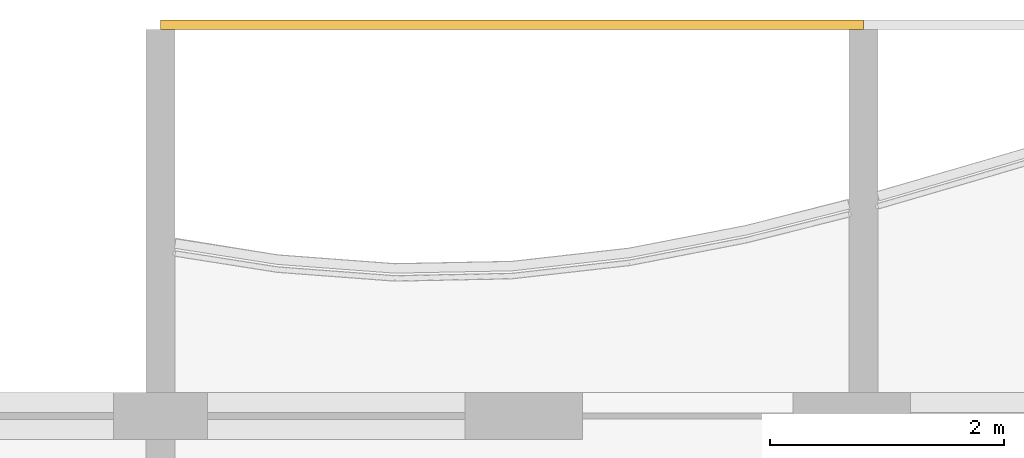
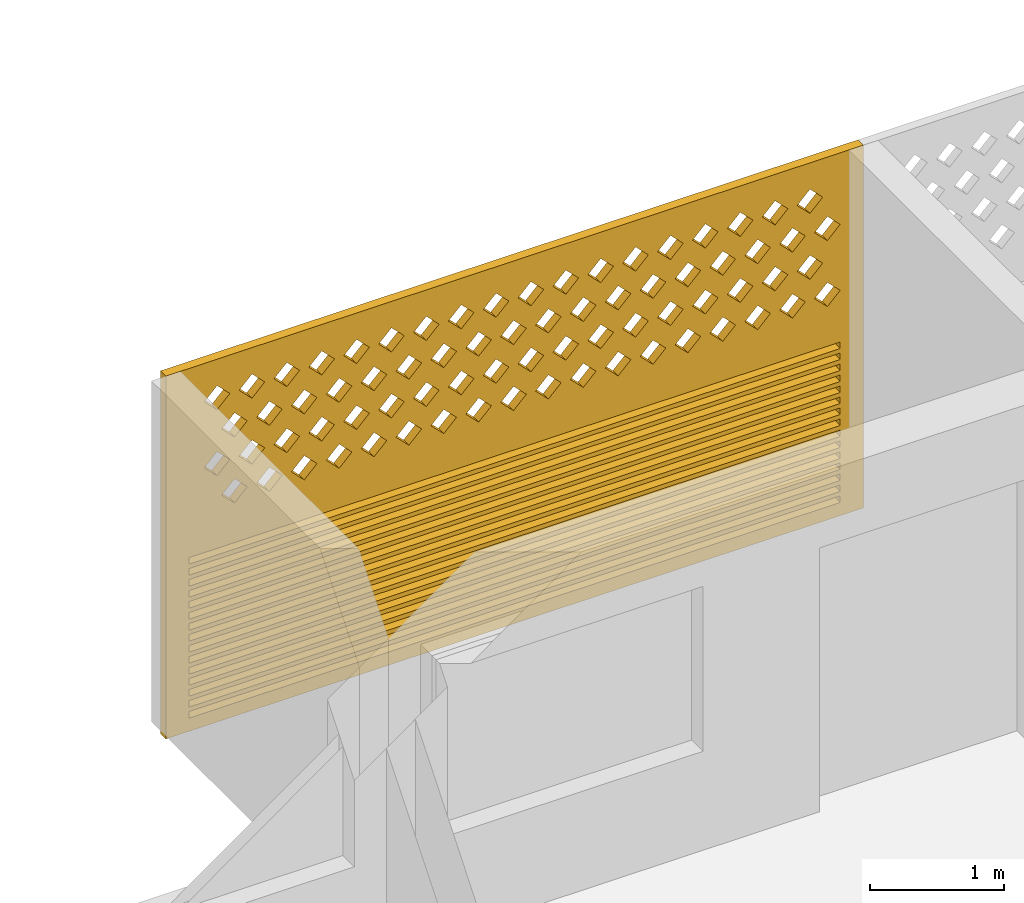
# One storey, part 22 of 26: 1 covering.
"""IFC4 building model written with IfcOpenShell, lengths in metres."""

from ifc_helpers import new_model, si_unit, direction, frame, origin, place, context, subcontext, project, spatial, polyline, outline, extrude, source, transform, mapped, material, material_profile, profile_set, type_object, element, save


model = new_model("IFC4")

# Units and contexts
model_context = context("Model", 3, precision=1e-05, world=origin(), true_north=direction((0.0, 1.0)))
body_context = subcontext(model_context, "Body", "Model", "MODEL_VIEW")
ifc_project = project(units=[si_unit("LENGTHUNIT", "METRE"), si_unit("AREAUNIT", "SQUARE_METRE"), si_unit("VOLUMEUNIT", "CUBIC_METRE"), si_unit("PLANEANGLEUNIT", "RADIAN"), si_unit("MASSUNIT", "GRAM", prefix="KILO")], contexts=[model_context])

# Site, building, storey
site_placement = place(None, origin())
site = spatial("IfcSite", under=ifc_project, at=site_placement, CompositionType="ELEMENT")
building_placement = place(site_placement, origin())
building = spatial("IfcBuilding", under=site, at=building_placement, Name="Poui Terraces", CompositionType="ELEMENT")
storey_placement = place(building_placement, frame((0.0, 0.0, 247.800048828125)))
storey = spatial("IfcBuildingStorey", under=building, at=storey_placement, Name="L69", CompositionType="ELEMENT", Elevation=247.800048828125)

# Covering
ifc_material = material(Name="Terracotta screen", Category="masonry")
ifc_material_profile = material_profile(ifc_material, outline(polyline([(-3.0, -1.64990234375), (3.0, -1.64990234375), (3.0, 1.64990234375), (-3.0, 1.64990234375), (-3.0, -1.64990234375)]), holes=[polyline([(-2.800048828125, 0.39990234375), (-2.68994140625, 0.2900390625), (-2.580078125, 0.39990234375), (-2.68994140625, 0.510009765625), (-2.800048828125, 0.39990234375)]), polyline([(-2.5, 0.39990234375), (-2.389892578125, 0.2900390625), (-2.280029296875, 0.39990234375), (-2.389892578125, 0.510009765625), (-2.5, 0.39990234375)]), polyline([(-2.199951171875, 0.39990234375), (-2.090087890625, 0.2900390625), (-1.97998046875, 0.39990234375), (-2.090087890625, 0.510009765625), (-2.199951171875, 0.39990234375)]), polyline([(-1.89990234375, 0.39990234375), (-1.7900390625, 0.2900390625), (-1.679931640625, 0.39990234375), (-1.7900390625, 0.510009765625), (-1.89990234375, 0.39990234375)]), polyline([(-1.60009765625, 0.39990234375), (-1.489990234375, 0.2900390625), (-1.3798828125, 0.39990234375), (-1.489990234375, 0.510009765625), (-1.60009765625, 0.39990234375)]), polyline([(-1.300048828125, 0.39990234375), (-1.18994140625, 0.2900390625), (-1.080078125, 0.39990234375), (-1.18994140625, 0.510009765625), (-1.300048828125, 0.39990234375)]), polyline([(-1.0, 0.39990234375), (-0.889892578125, 0.2900390625), (-0.780029296875, 0.39990234375), (-0.889892578125, 0.510009765625), (-1.0, 0.39990234375)]), polyline([(-0.699951171875, 0.39990234375), (-0.590087890625, 0.2900390625), (-0.47998046875, 0.39990234375), (-0.590087890625, 0.510009765625), (-0.699951171875, 0.39990234375)]), polyline([(-0.39990234375, 0.39990234375), (-0.2900390625, 0.2900390625), (-0.179931640625, 0.39990234375), (-0.2900390625, 0.510009765625), (-0.39990234375, 0.39990234375)]), polyline([(-0.10009765625, 0.39990234375), (0.010009765625, 0.2900390625), (0.1201171875, 0.39990234375), (0.010009765625, 0.510009765625), (-0.10009765625, 0.39990234375)]), polyline([(0.199951171875, 0.39990234375), (0.31005859375, 0.2900390625), (0.419921875, 0.39990234375), (0.31005859375, 0.510009765625), (0.199951171875, 0.39990234375)]), polyline([(0.5, 0.39990234375), (0.610107421875, 0.2900390625), (0.719970703125, 0.39990234375), (0.610107421875, 0.510009765625), (0.5, 0.39990234375)]), polyline([(0.800048828125, 0.39990234375), (0.909912109375, 0.2900390625), (1.02001953125, 0.39990234375), (0.909912109375, 0.510009765625), (0.800048828125, 0.39990234375)]), polyline([(1.10009765625, 0.39990234375), (1.2099609375, 0.2900390625), (1.320068359375, 0.39990234375), (1.2099609375, 0.510009765625), (1.10009765625, 0.39990234375)]), polyline([(1.39990234375, 0.39990234375), (1.510009765625, 0.2900390625), (1.6201171875, 0.39990234375), (1.510009765625, 0.510009765625), (1.39990234375, 0.39990234375)]), polyline([(1.699951171875, 0.39990234375), (1.81005859375, 0.2900390625), (1.919921875, 0.39990234375), (1.81005859375, 0.510009765625), (1.699951171875, 0.39990234375)]), polyline([(2.0, 0.39990234375), (2.110107421875, 0.2900390625), (2.219970703125, 0.39990234375), (2.110107421875, 0.510009765625), (2.0, 0.39990234375)]), polyline([(2.300048828125, 0.39990234375), (2.409912109375, 0.2900390625), (2.52001953125, 0.39990234375), (2.409912109375, 0.510009765625), (2.300048828125, 0.39990234375)]), polyline([(-2.64990234375, 0.699951171875), (-2.5400390625, 0.590087890625), (-2.429931640625, 0.699951171875), (-2.5400390625, 0.81005859375), (-2.64990234375, 0.699951171875)]), polyline([(-2.35009765625, 0.699951171875), (-2.239990234375, 0.590087890625), (-2.1298828125, 0.699951171875), (-2.239990234375, 0.81005859375), (-2.35009765625, 0.699951171875)]), polyline([(-2.050048828125, 0.699951171875), (-1.93994140625, 0.590087890625), (-1.830078125, 0.699951171875), (-1.93994140625, 0.81005859375), (-2.050048828125, 0.699951171875)]), polyline([(-1.75, 0.699951171875), (-1.639892578125, 0.590087890625), (-1.530029296875, 0.699951171875), (-1.639892578125, 0.81005859375), (-1.75, 0.699951171875)]), polyline([(-1.449951171875, 0.699951171875), (-1.340087890625, 0.590087890625), (-1.22998046875, 0.699951171875), (-1.340087890625, 0.81005859375), (-1.449951171875, 0.699951171875)]), polyline([(-1.14990234375, 0.699951171875), (-1.0400390625, 0.590087890625), (-0.929931640625, 0.699951171875), (-1.0400390625, 0.81005859375), (-1.14990234375, 0.699951171875)]), polyline([(-0.85009765625, 0.699951171875), (-0.739990234375, 0.590087890625), (-0.6298828125, 0.699951171875), (-0.739990234375, 0.81005859375), (-0.85009765625, 0.699951171875)]), polyline([(-0.550048828125, 0.699951171875), (-0.43994140625, 0.590087890625), (-0.330078125, 0.699951171875), (-0.43994140625, 0.81005859375), (-0.550048828125, 0.699951171875)]), polyline([(-0.25, 0.699951171875), (-0.139892578125, 0.590087890625), (-0.030029296875, 0.699951171875), (-0.139892578125, 0.81005859375), (-0.25, 0.699951171875)]), polyline([(0.050048828125, 0.699951171875), (0.159912109375, 0.590087890625), (0.27001953125, 0.699951171875), (0.159912109375, 0.81005859375), (0.050048828125, 0.699951171875)]), polyline([(0.35009765625, 0.699951171875), (0.4599609375, 0.590087890625), (0.570068359375, 0.699951171875), (0.4599609375, 0.81005859375), (0.35009765625, 0.699951171875)]), polyline([(0.64990234375, 0.699951171875), (0.760009765625, 0.590087890625), (0.8701171875, 0.699951171875), (0.760009765625, 0.81005859375), (0.64990234375, 0.699951171875)]), polyline([(0.949951171875, 0.699951171875), (1.06005859375, 0.590087890625), (1.169921875, 0.699951171875), (1.06005859375, 0.81005859375), (0.949951171875, 0.699951171875)]), polyline([(1.25, 0.699951171875), (1.360107421875, 0.590087890625), (1.469970703125, 0.699951171875), (1.360107421875, 0.81005859375), (1.25, 0.699951171875)]), polyline([(1.550048828125, 0.699951171875), (1.659912109375, 0.590087890625), (1.77001953125, 0.699951171875), (1.659912109375, 0.81005859375), (1.550048828125, 0.699951171875)]), polyline([(1.85009765625, 0.699951171875), (1.9599609375, 0.590087890625), (2.070068359375, 0.699951171875), (1.9599609375, 0.81005859375), (1.85009765625, 0.699951171875)]), polyline([(2.14990234375, 0.699951171875), (2.260009765625, 0.590087890625), (2.3701171875, 0.699951171875), (2.260009765625, 0.81005859375), (2.14990234375, 0.699951171875)]), polyline([(2.449951171875, 0.699951171875), (2.56005859375, 0.590087890625), (2.669921875, 0.699951171875), (2.56005859375, 0.81005859375), (2.449951171875, 0.699951171875)]), polyline([(-2.800048828125, 1.0), (-2.68994140625, 0.889892578125), (-2.580078125, 1.0), (-2.68994140625, 1.110107421875), (-2.800048828125, 1.0)]), polyline([(-2.5, 1.0), (-2.389892578125, 0.889892578125), (-2.280029296875, 1.0), (-2.389892578125, 1.110107421875), (-2.5, 1.0)]), polyline([(-2.199951171875, 1.0), (-2.090087890625, 0.889892578125), (-1.97998046875, 1.0), (-2.090087890625, 1.110107421875), (-2.199951171875, 1.0)]), polyline([(-1.89990234375, 1.0), (-1.7900390625, 0.889892578125), (-1.679931640625, 1.0), (-1.7900390625, 1.110107421875), (-1.89990234375, 1.0)]), polyline([(-1.60009765625, 1.0), (-1.489990234375, 0.889892578125), (-1.3798828125, 1.0), (-1.489990234375, 1.110107421875), (-1.60009765625, 1.0)]), polyline([(-1.300048828125, 1.0), (-1.18994140625, 0.889892578125), (-1.080078125, 1.0), (-1.18994140625, 1.110107421875), (-1.300048828125, 1.0)]), polyline([(-1.0, 1.0), (-0.889892578125, 0.889892578125), (-0.780029296875, 1.0), (-0.889892578125, 1.110107421875), (-1.0, 1.0)]), polyline([(-0.699951171875, 1.0), (-0.590087890625, 0.889892578125), (-0.47998046875, 1.0), (-0.590087890625, 1.110107421875), (-0.699951171875, 1.0)]), polyline([(-0.39990234375, 1.0), (-0.2900390625, 0.889892578125), (-0.179931640625, 1.0), (-0.2900390625, 1.110107421875), (-0.39990234375, 1.0)]), polyline([(-0.10009765625, 1.0), (0.010009765625, 0.889892578125), (0.1201171875, 1.0), (0.010009765625, 1.110107421875), (-0.10009765625, 1.0)]), polyline([(0.199951171875, 1.0), (0.31005859375, 0.889892578125), (0.419921875, 1.0), (0.31005859375, 1.110107421875), (0.199951171875, 1.0)]), polyline([(0.5, 1.0), (0.610107421875, 0.889892578125), (0.719970703125, 1.0), (0.610107421875, 1.110107421875), (0.5, 1.0)]), polyline([(0.800048828125, 1.0), (0.909912109375, 0.889892578125), (1.02001953125, 1.0), (0.909912109375, 1.110107421875), (0.800048828125, 1.0)]), polyline([(1.10009765625, 1.0), (1.2099609375, 0.889892578125), (1.320068359375, 1.0), (1.2099609375, 1.110107421875), (1.10009765625, 1.0)]), polyline([(1.39990234375, 1.0), (1.510009765625, 0.889892578125), (1.6201171875, 1.0), (1.510009765625, 1.110107421875), (1.39990234375, 1.0)]), polyline([(1.699951171875, 1.0), (1.81005859375, 0.889892578125), (1.919921875, 1.0), (1.81005859375, 1.110107421875), (1.699951171875, 1.0)]), polyline([(2.0, 1.0), (2.110107421875, 0.889892578125), (2.219970703125, 1.0), (2.110107421875, 1.110107421875), (2.0, 1.0)]), polyline([(2.300048828125, 1.0), (2.409912109375, 0.889892578125), (2.52001953125, 1.0), (2.409912109375, 1.110107421875), (2.300048828125, 1.0)]), polyline([(-2.64990234375, 1.300048828125), (-2.5400390625, 1.18994140625), (-2.429931640625, 1.300048828125), (-2.5400390625, 1.409912109375), (-2.64990234375, 1.300048828125)]), polyline([(-2.35009765625, 1.300048828125), (-2.239990234375, 1.18994140625), (-2.1298828125, 1.300048828125), (-2.239990234375, 1.409912109375), (-2.35009765625, 1.300048828125)]), polyline([(-2.050048828125, 1.300048828125), (-1.93994140625, 1.18994140625), (-1.830078125, 1.300048828125), (-1.93994140625, 1.409912109375), (-2.050048828125, 1.300048828125)]), polyline([(-1.75, 1.300048828125), (-1.639892578125, 1.18994140625), (-1.530029296875, 1.300048828125), (-1.639892578125, 1.409912109375), (-1.75, 1.300048828125)]), polyline([(-1.449951171875, 1.300048828125), (-1.340087890625, 1.18994140625), (-1.22998046875, 1.300048828125), (-1.340087890625, 1.409912109375), (-1.449951171875, 1.300048828125)]), polyline([(-1.14990234375, 1.300048828125), (-1.0400390625, 1.18994140625), (-0.929931640625, 1.300048828125), (-1.0400390625, 1.409912109375), (-1.14990234375, 1.300048828125)]), polyline([(-0.85009765625, 1.300048828125), (-0.739990234375, 1.18994140625), (-0.6298828125, 1.300048828125), (-0.739990234375, 1.409912109375), (-0.85009765625, 1.300048828125)]), polyline([(-0.550048828125, 1.300048828125), (-0.43994140625, 1.18994140625), (-0.330078125, 1.300048828125), (-0.43994140625, 1.409912109375), (-0.550048828125, 1.300048828125)]), polyline([(-0.25, 1.300048828125), (-0.139892578125, 1.18994140625), (-0.030029296875, 1.300048828125), (-0.139892578125, 1.409912109375), (-0.25, 1.300048828125)]), polyline([(0.050048828125, 1.300048828125), (0.159912109375, 1.18994140625), (0.27001953125, 1.300048828125), (0.159912109375, 1.409912109375), (0.050048828125, 1.300048828125)]), polyline([(0.35009765625, 1.300048828125), (0.4599609375, 1.18994140625), (0.570068359375, 1.300048828125), (0.4599609375, 1.409912109375), (0.35009765625, 1.300048828125)]), polyline([(0.64990234375, 1.300048828125), (0.760009765625, 1.18994140625), (0.8701171875, 1.300048828125), (0.760009765625, 1.409912109375), (0.64990234375, 1.300048828125)]), polyline([(0.949951171875, 1.300048828125), (1.06005859375, 1.18994140625), (1.169921875, 1.300048828125), (1.06005859375, 1.409912109375), (0.949951171875, 1.300048828125)]), polyline([(1.25, 1.300048828125), (1.360107421875, 1.18994140625), (1.469970703125, 1.300048828125), (1.360107421875, 1.409912109375), (1.25, 1.300048828125)]), polyline([(1.550048828125, 1.300048828125), (1.659912109375, 1.18994140625), (1.77001953125, 1.300048828125), (1.659912109375, 1.409912109375), (1.550048828125, 1.300048828125)]), polyline([(1.85009765625, 1.300048828125), (1.9599609375, 1.18994140625), (2.070068359375, 1.300048828125), (1.9599609375, 1.409912109375), (1.85009765625, 1.300048828125)]), polyline([(2.14990234375, 1.300048828125), (2.260009765625, 1.18994140625), (2.3701171875, 1.300048828125), (2.260009765625, 1.409912109375), (2.14990234375, 1.300048828125)]), polyline([(2.449951171875, 1.300048828125), (2.56005859375, 1.18994140625), (2.669921875, 1.300048828125), (2.56005859375, 1.409912109375), (2.449951171875, 1.300048828125)]), polyline([(-2.800048828125, -1.530029296875), (2.800048828125, -1.530029296875), (2.800048828125, -1.469970703125), (-2.800048828125, -1.469970703125), (-2.800048828125, -1.530029296875)]), polyline([(-2.800048828125, -1.429931640625), (2.800048828125, -1.429931640625), (2.800048828125, -1.3701171875), (-2.800048828125, -1.3701171875), (-2.800048828125, -1.429931640625)]), polyline([(-2.800048828125, -1.330078125), (2.800048828125, -1.330078125), (2.800048828125, -1.27001953125), (-2.800048828125, -1.27001953125), (-2.800048828125, -1.330078125)]), polyline([(-2.800048828125, -1.22998046875), (2.800048828125, -1.22998046875), (2.800048828125, -1.169921875), (-2.800048828125, -1.169921875), (-2.800048828125, -1.22998046875)]), polyline([(-2.800048828125, -1.1298828125), (2.800048828125, -1.1298828125), (2.800048828125, -1.070068359375), (-2.800048828125, -1.070068359375), (-2.800048828125, -1.1298828125)]), polyline([(-2.800048828125, -1.030029296875), (2.800048828125, -1.030029296875), (2.800048828125, -0.969970703125), (-2.800048828125, -0.969970703125), (-2.800048828125, -1.030029296875)]), polyline([(-2.800048828125, -0.929931640625), (2.800048828125, -0.929931640625), (2.800048828125, -0.8701171875), (-2.800048828125, -0.8701171875), (-2.800048828125, -0.929931640625)]), polyline([(-2.800048828125, -0.830078125), (2.800048828125, -0.830078125), (2.800048828125, -0.77001953125), (-2.800048828125, -0.77001953125), (-2.800048828125, -0.830078125)]), polyline([(-2.800048828125, -0.72998046875), (2.800048828125, -0.72998046875), (2.800048828125, -0.669921875), (-2.800048828125, -0.669921875), (-2.800048828125, -0.72998046875)]), polyline([(-2.800048828125, -0.6298828125), (2.800048828125, -0.6298828125), (2.800048828125, -0.570068359375), (-2.800048828125, -0.570068359375), (-2.800048828125, -0.6298828125)]), polyline([(-2.800048828125, -0.530029296875), (2.800048828125, -0.530029296875), (2.800048828125, -0.469970703125), (-2.800048828125, -0.469970703125), (-2.800048828125, -0.530029296875)]), polyline([(-2.800048828125, -0.429931640625), (2.800048828125, -0.429931640625), (2.800048828125, -0.3701171875), (-2.800048828125, -0.3701171875), (-2.800048828125, -0.429931640625)]), polyline([(-2.800048828125, -0.330078125), (2.800048828125, -0.330078125), (2.800048828125, -0.27001953125), (-2.800048828125, -0.27001953125), (-2.800048828125, -0.330078125)]), polyline([(-2.800048828125, -0.22998046875), (2.800048828125, -0.22998046875), (2.800048828125, -0.169921875), (-2.800048828125, -0.169921875), (-2.800048828125, -0.22998046875)]), polyline([(-2.800048828125, -0.1298828125), (2.800048828125, -0.1298828125), (2.800048828125, -0.070068359375), (-2.800048828125, -0.070068359375), (-2.800048828125, -0.1298828125)])]), Name="TERRACOTTA SCREEN AND JALOUSIE LOUVRE 6000X3300")
ifc_profile_set = profile_set([ifc_material_profile], Name="Terracotta screen")
covering_type = type_object("IfcCoveringType", Name="TERRACOTTA SCREEN AND JALOUSIE LOUVRE 6000X3300", PredefinedType="CLADDING", material=ifc_profile_set)
shared_shape = source(origin(), body_context, "Body", "SweptSolid", [
    extrude(outline(polyline([(-3.0, -1.64990234375), (3.0, -1.64990234375), (3.0, 1.64990234375), (-3.0, 1.64990234375), (-3.0, -1.64990234375)]), holes=[polyline([(-2.800048828125, 0.39990234375), (-2.68994140625, 0.2900390625), (-2.580078125, 0.39990234375), (-2.68994140625, 0.510009765625), (-2.800048828125, 0.39990234375)]), polyline([(-2.5, 0.39990234375), (-2.389892578125, 0.2900390625), (-2.280029296875, 0.39990234375), (-2.389892578125, 0.510009765625), (-2.5, 0.39990234375)]), polyline([(-2.199951171875, 0.39990234375), (-2.090087890625, 0.2900390625), (-1.97998046875, 0.39990234375), (-2.090087890625, 0.510009765625), (-2.199951171875, 0.39990234375)]), polyline([(-1.89990234375, 0.39990234375), (-1.7900390625, 0.2900390625), (-1.679931640625, 0.39990234375), (-1.7900390625, 0.510009765625), (-1.89990234375, 0.39990234375)]), polyline([(-1.60009765625, 0.39990234375), (-1.489990234375, 0.2900390625), (-1.3798828125, 0.39990234375), (-1.489990234375, 0.510009765625), (-1.60009765625, 0.39990234375)]), polyline([(-1.300048828125, 0.39990234375), (-1.18994140625, 0.2900390625), (-1.080078125, 0.39990234375), (-1.18994140625, 0.510009765625), (-1.300048828125, 0.39990234375)]), polyline([(-1.0, 0.39990234375), (-0.889892578125, 0.2900390625), (-0.780029296875, 0.39990234375), (-0.889892578125, 0.510009765625), (-1.0, 0.39990234375)]), polyline([(-0.699951171875, 0.39990234375), (-0.590087890625, 0.2900390625), (-0.47998046875, 0.39990234375), (-0.590087890625, 0.510009765625), (-0.699951171875, 0.39990234375)]), polyline([(-0.39990234375, 0.39990234375), (-0.2900390625, 0.2900390625), (-0.179931640625, 0.39990234375), (-0.2900390625, 0.510009765625), (-0.39990234375, 0.39990234375)]), polyline([(-0.10009765625, 0.39990234375), (0.010009765625, 0.2900390625), (0.1201171875, 0.39990234375), (0.010009765625, 0.510009765625), (-0.10009765625, 0.39990234375)]), polyline([(0.199951171875, 0.39990234375), (0.31005859375, 0.2900390625), (0.419921875, 0.39990234375), (0.31005859375, 0.510009765625), (0.199951171875, 0.39990234375)]), polyline([(0.5, 0.39990234375), (0.610107421875, 0.2900390625), (0.719970703125, 0.39990234375), (0.610107421875, 0.510009765625), (0.5, 0.39990234375)]), polyline([(0.800048828125, 0.39990234375), (0.909912109375, 0.2900390625), (1.02001953125, 0.39990234375), (0.909912109375, 0.510009765625), (0.800048828125, 0.39990234375)]), polyline([(1.10009765625, 0.39990234375), (1.2099609375, 0.2900390625), (1.320068359375, 0.39990234375), (1.2099609375, 0.510009765625), (1.10009765625, 0.39990234375)]), polyline([(1.39990234375, 0.39990234375), (1.510009765625, 0.2900390625), (1.6201171875, 0.39990234375), (1.510009765625, 0.510009765625), (1.39990234375, 0.39990234375)]), polyline([(1.699951171875, 0.39990234375), (1.81005859375, 0.2900390625), (1.919921875, 0.39990234375), (1.81005859375, 0.510009765625), (1.699951171875, 0.39990234375)]), polyline([(2.0, 0.39990234375), (2.110107421875, 0.2900390625), (2.219970703125, 0.39990234375), (2.110107421875, 0.510009765625), (2.0, 0.39990234375)]), polyline([(2.300048828125, 0.39990234375), (2.409912109375, 0.2900390625), (2.52001953125, 0.39990234375), (2.409912109375, 0.510009765625), (2.300048828125, 0.39990234375)]), polyline([(-2.64990234375, 0.699951171875), (-2.5400390625, 0.590087890625), (-2.429931640625, 0.699951171875), (-2.5400390625, 0.81005859375), (-2.64990234375, 0.699951171875)]), polyline([(-2.35009765625, 0.699951171875), (-2.239990234375, 0.590087890625), (-2.1298828125, 0.699951171875), (-2.239990234375, 0.81005859375), (-2.35009765625, 0.699951171875)]), polyline([(-2.050048828125, 0.699951171875), (-1.93994140625, 0.590087890625), (-1.830078125, 0.699951171875), (-1.93994140625, 0.81005859375), (-2.050048828125, 0.699951171875)]), polyline([(-1.75, 0.699951171875), (-1.639892578125, 0.590087890625), (-1.530029296875, 0.699951171875), (-1.639892578125, 0.81005859375), (-1.75, 0.699951171875)]), polyline([(-1.449951171875, 0.699951171875), (-1.340087890625, 0.590087890625), (-1.22998046875, 0.699951171875), (-1.340087890625, 0.81005859375), (-1.449951171875, 0.699951171875)]), polyline([(-1.14990234375, 0.699951171875), (-1.0400390625, 0.590087890625), (-0.929931640625, 0.699951171875), (-1.0400390625, 0.81005859375), (-1.14990234375, 0.699951171875)]), polyline([(-0.85009765625, 0.699951171875), (-0.739990234375, 0.590087890625), (-0.6298828125, 0.699951171875), (-0.739990234375, 0.81005859375), (-0.85009765625, 0.699951171875)]), polyline([(-0.550048828125, 0.699951171875), (-0.43994140625, 0.590087890625), (-0.330078125, 0.699951171875), (-0.43994140625, 0.81005859375), (-0.550048828125, 0.699951171875)]), polyline([(-0.25, 0.699951171875), (-0.139892578125, 0.590087890625), (-0.030029296875, 0.699951171875), (-0.139892578125, 0.81005859375), (-0.25, 0.699951171875)]), polyline([(0.050048828125, 0.699951171875), (0.159912109375, 0.590087890625), (0.27001953125, 0.699951171875), (0.159912109375, 0.81005859375), (0.050048828125, 0.699951171875)]), polyline([(0.35009765625, 0.699951171875), (0.4599609375, 0.590087890625), (0.570068359375, 0.699951171875), (0.4599609375, 0.81005859375), (0.35009765625, 0.699951171875)]), polyline([(0.64990234375, 0.699951171875), (0.760009765625, 0.590087890625), (0.8701171875, 0.699951171875), (0.760009765625, 0.81005859375), (0.64990234375, 0.699951171875)]), polyline([(0.949951171875, 0.699951171875), (1.06005859375, 0.590087890625), (1.169921875, 0.699951171875), (1.06005859375, 0.81005859375), (0.949951171875, 0.699951171875)]), polyline([(1.25, 0.699951171875), (1.360107421875, 0.590087890625), (1.469970703125, 0.699951171875), (1.360107421875, 0.81005859375), (1.25, 0.699951171875)]), polyline([(1.550048828125, 0.699951171875), (1.659912109375, 0.590087890625), (1.77001953125, 0.699951171875), (1.659912109375, 0.81005859375), (1.550048828125, 0.699951171875)]), polyline([(1.85009765625, 0.699951171875), (1.9599609375, 0.590087890625), (2.070068359375, 0.699951171875), (1.9599609375, 0.81005859375), (1.85009765625, 0.699951171875)]), polyline([(2.14990234375, 0.699951171875), (2.260009765625, 0.590087890625), (2.3701171875, 0.699951171875), (2.260009765625, 0.81005859375), (2.14990234375, 0.699951171875)]), polyline([(2.449951171875, 0.699951171875), (2.56005859375, 0.590087890625), (2.669921875, 0.699951171875), (2.56005859375, 0.81005859375), (2.449951171875, 0.699951171875)]), polyline([(-2.800048828125, 1.0), (-2.68994140625, 0.889892578125), (-2.580078125, 1.0), (-2.68994140625, 1.110107421875), (-2.800048828125, 1.0)]), polyline([(-2.5, 1.0), (-2.389892578125, 0.889892578125), (-2.280029296875, 1.0), (-2.389892578125, 1.110107421875), (-2.5, 1.0)]), polyline([(-2.199951171875, 1.0), (-2.090087890625, 0.889892578125), (-1.97998046875, 1.0), (-2.090087890625, 1.110107421875), (-2.199951171875, 1.0)]), polyline([(-1.89990234375, 1.0), (-1.7900390625, 0.889892578125), (-1.679931640625, 1.0), (-1.7900390625, 1.110107421875), (-1.89990234375, 1.0)]), polyline([(-1.60009765625, 1.0), (-1.489990234375, 0.889892578125), (-1.3798828125, 1.0), (-1.489990234375, 1.110107421875), (-1.60009765625, 1.0)]), polyline([(-1.300048828125, 1.0), (-1.18994140625, 0.889892578125), (-1.080078125, 1.0), (-1.18994140625, 1.110107421875), (-1.300048828125, 1.0)]), polyline([(-1.0, 1.0), (-0.889892578125, 0.889892578125), (-0.780029296875, 1.0), (-0.889892578125, 1.110107421875), (-1.0, 1.0)]), polyline([(-0.699951171875, 1.0), (-0.590087890625, 0.889892578125), (-0.47998046875, 1.0), (-0.590087890625, 1.110107421875), (-0.699951171875, 1.0)]), polyline([(-0.39990234375, 1.0), (-0.2900390625, 0.889892578125), (-0.179931640625, 1.0), (-0.2900390625, 1.110107421875), (-0.39990234375, 1.0)]), polyline([(-0.10009765625, 1.0), (0.010009765625, 0.889892578125), (0.1201171875, 1.0), (0.010009765625, 1.110107421875), (-0.10009765625, 1.0)]), polyline([(0.199951171875, 1.0), (0.31005859375, 0.889892578125), (0.419921875, 1.0), (0.31005859375, 1.110107421875), (0.199951171875, 1.0)]), polyline([(0.5, 1.0), (0.610107421875, 0.889892578125), (0.719970703125, 1.0), (0.610107421875, 1.110107421875), (0.5, 1.0)]), polyline([(0.800048828125, 1.0), (0.909912109375, 0.889892578125), (1.02001953125, 1.0), (0.909912109375, 1.110107421875), (0.800048828125, 1.0)]), polyline([(1.10009765625, 1.0), (1.2099609375, 0.889892578125), (1.320068359375, 1.0), (1.2099609375, 1.110107421875), (1.10009765625, 1.0)]), polyline([(1.39990234375, 1.0), (1.510009765625, 0.889892578125), (1.6201171875, 1.0), (1.510009765625, 1.110107421875), (1.39990234375, 1.0)]), polyline([(1.699951171875, 1.0), (1.81005859375, 0.889892578125), (1.919921875, 1.0), (1.81005859375, 1.110107421875), (1.699951171875, 1.0)]), polyline([(2.0, 1.0), (2.110107421875, 0.889892578125), (2.219970703125, 1.0), (2.110107421875, 1.110107421875), (2.0, 1.0)]), polyline([(2.300048828125, 1.0), (2.409912109375, 0.889892578125), (2.52001953125, 1.0), (2.409912109375, 1.110107421875), (2.300048828125, 1.0)]), polyline([(-2.64990234375, 1.300048828125), (-2.5400390625, 1.18994140625), (-2.429931640625, 1.300048828125), (-2.5400390625, 1.409912109375), (-2.64990234375, 1.300048828125)]), polyline([(-2.35009765625, 1.300048828125), (-2.239990234375, 1.18994140625), (-2.1298828125, 1.300048828125), (-2.239990234375, 1.409912109375), (-2.35009765625, 1.300048828125)]), polyline([(-2.050048828125, 1.300048828125), (-1.93994140625, 1.18994140625), (-1.830078125, 1.300048828125), (-1.93994140625, 1.409912109375), (-2.050048828125, 1.300048828125)]), polyline([(-1.75, 1.300048828125), (-1.639892578125, 1.18994140625), (-1.530029296875, 1.300048828125), (-1.639892578125, 1.409912109375), (-1.75, 1.300048828125)]), polyline([(-1.449951171875, 1.300048828125), (-1.340087890625, 1.18994140625), (-1.22998046875, 1.300048828125), (-1.340087890625, 1.409912109375), (-1.449951171875, 1.300048828125)]), polyline([(-1.14990234375, 1.300048828125), (-1.0400390625, 1.18994140625), (-0.929931640625, 1.300048828125), (-1.0400390625, 1.409912109375), (-1.14990234375, 1.300048828125)]), polyline([(-0.85009765625, 1.300048828125), (-0.739990234375, 1.18994140625), (-0.6298828125, 1.300048828125), (-0.739990234375, 1.409912109375), (-0.85009765625, 1.300048828125)]), polyline([(-0.550048828125, 1.300048828125), (-0.43994140625, 1.18994140625), (-0.330078125, 1.300048828125), (-0.43994140625, 1.409912109375), (-0.550048828125, 1.300048828125)]), polyline([(-0.25, 1.300048828125), (-0.139892578125, 1.18994140625), (-0.030029296875, 1.300048828125), (-0.139892578125, 1.409912109375), (-0.25, 1.300048828125)]), polyline([(0.050048828125, 1.300048828125), (0.159912109375, 1.18994140625), (0.27001953125, 1.300048828125), (0.159912109375, 1.409912109375), (0.050048828125, 1.300048828125)]), polyline([(0.35009765625, 1.300048828125), (0.4599609375, 1.18994140625), (0.570068359375, 1.300048828125), (0.4599609375, 1.409912109375), (0.35009765625, 1.300048828125)]), polyline([(0.64990234375, 1.300048828125), (0.760009765625, 1.18994140625), (0.8701171875, 1.300048828125), (0.760009765625, 1.409912109375), (0.64990234375, 1.300048828125)]), polyline([(0.949951171875, 1.300048828125), (1.06005859375, 1.18994140625), (1.169921875, 1.300048828125), (1.06005859375, 1.409912109375), (0.949951171875, 1.300048828125)]), polyline([(1.25, 1.300048828125), (1.360107421875, 1.18994140625), (1.469970703125, 1.300048828125), (1.360107421875, 1.409912109375), (1.25, 1.300048828125)]), polyline([(1.550048828125, 1.300048828125), (1.659912109375, 1.18994140625), (1.77001953125, 1.300048828125), (1.659912109375, 1.409912109375), (1.550048828125, 1.300048828125)]), polyline([(1.85009765625, 1.300048828125), (1.9599609375, 1.18994140625), (2.070068359375, 1.300048828125), (1.9599609375, 1.409912109375), (1.85009765625, 1.300048828125)]), polyline([(2.14990234375, 1.300048828125), (2.260009765625, 1.18994140625), (2.3701171875, 1.300048828125), (2.260009765625, 1.409912109375), (2.14990234375, 1.300048828125)]), polyline([(2.449951171875, 1.300048828125), (2.56005859375, 1.18994140625), (2.669921875, 1.300048828125), (2.56005859375, 1.409912109375), (2.449951171875, 1.300048828125)]), polyline([(-2.800048828125, -1.530029296875), (2.800048828125, -1.530029296875), (2.800048828125, -1.469970703125), (-2.800048828125, -1.469970703125), (-2.800048828125, -1.530029296875)]), polyline([(-2.800048828125, -1.429931640625), (2.800048828125, -1.429931640625), (2.800048828125, -1.3701171875), (-2.800048828125, -1.3701171875), (-2.800048828125, -1.429931640625)]), polyline([(-2.800048828125, -1.330078125), (2.800048828125, -1.330078125), (2.800048828125, -1.27001953125), (-2.800048828125, -1.27001953125), (-2.800048828125, -1.330078125)]), polyline([(-2.800048828125, -1.22998046875), (2.800048828125, -1.22998046875), (2.800048828125, -1.169921875), (-2.800048828125, -1.169921875), (-2.800048828125, -1.22998046875)]), polyline([(-2.800048828125, -1.1298828125), (2.800048828125, -1.1298828125), (2.800048828125, -1.070068359375), (-2.800048828125, -1.070068359375), (-2.800048828125, -1.1298828125)]), polyline([(-2.800048828125, -1.030029296875), (2.800048828125, -1.030029296875), (2.800048828125, -0.969970703125), (-2.800048828125, -0.969970703125), (-2.800048828125, -1.030029296875)]), polyline([(-2.800048828125, -0.929931640625), (2.800048828125, -0.929931640625), (2.800048828125, -0.8701171875), (-2.800048828125, -0.8701171875), (-2.800048828125, -0.929931640625)]), polyline([(-2.800048828125, -0.830078125), (2.800048828125, -0.830078125), (2.800048828125, -0.77001953125), (-2.800048828125, -0.77001953125), (-2.800048828125, -0.830078125)]), polyline([(-2.800048828125, -0.72998046875), (2.800048828125, -0.72998046875), (2.800048828125, -0.669921875), (-2.800048828125, -0.669921875), (-2.800048828125, -0.72998046875)]), polyline([(-2.800048828125, -0.6298828125), (2.800048828125, -0.6298828125), (2.800048828125, -0.570068359375), (-2.800048828125, -0.570068359375), (-2.800048828125, -0.6298828125)]), polyline([(-2.800048828125, -0.530029296875), (2.800048828125, -0.530029296875), (2.800048828125, -0.469970703125), (-2.800048828125, -0.469970703125), (-2.800048828125, -0.530029296875)]), polyline([(-2.800048828125, -0.429931640625), (2.800048828125, -0.429931640625), (2.800048828125, -0.3701171875), (-2.800048828125, -0.3701171875), (-2.800048828125, -0.429931640625)]), polyline([(-2.800048828125, -0.330078125), (2.800048828125, -0.330078125), (2.800048828125, -0.27001953125), (-2.800048828125, -0.27001953125), (-2.800048828125, -0.330078125)]), polyline([(-2.800048828125, -0.22998046875), (2.800048828125, -0.22998046875), (2.800048828125, -0.169921875), (-2.800048828125, -0.169921875), (-2.800048828125, -0.22998046875)]), polyline([(-2.800048828125, -0.1298828125), (2.800048828125, -0.1298828125), (2.800048828125, -0.070068359375), (-2.800048828125, -0.070068359375), (-2.800048828125, -0.1298828125)])]), origin(), (0.0, 0.0, 1.0), 0.080078125),
])
covering_placement = place(storey_placement, frame((63.0, 44.5, 1.449951171875), z_axis=(0.0, 1.0, 0.0), x_axis=(-1.0, 0.0, 0.0)))
element("IfcCovering", 1, at=covering_placement, inside=storey, type_object=covering_type, Name="SOLAR SCREEN AND JALOUSIE LOUVRE", PredefinedType="CLADDING", context=body_context, shape_type="MappedRepresentation", body=[
    mapped(shared_shape, transform((0.0, 0.0, 0.0))),
])

save(model, "model.ifc")
